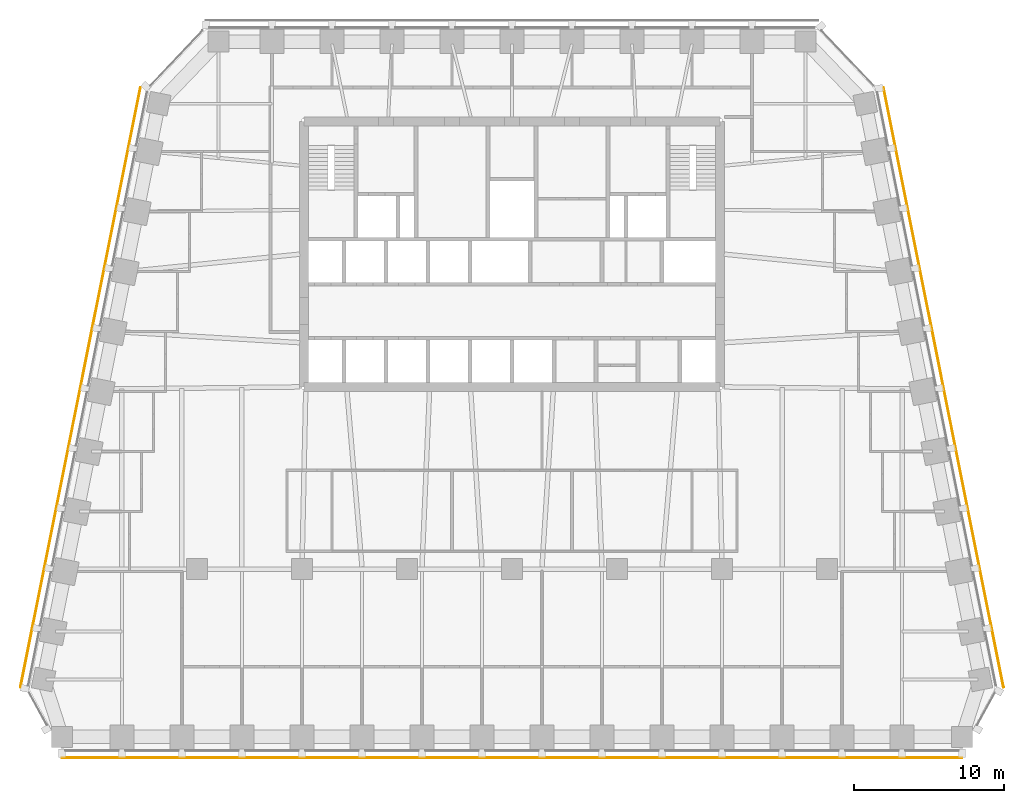
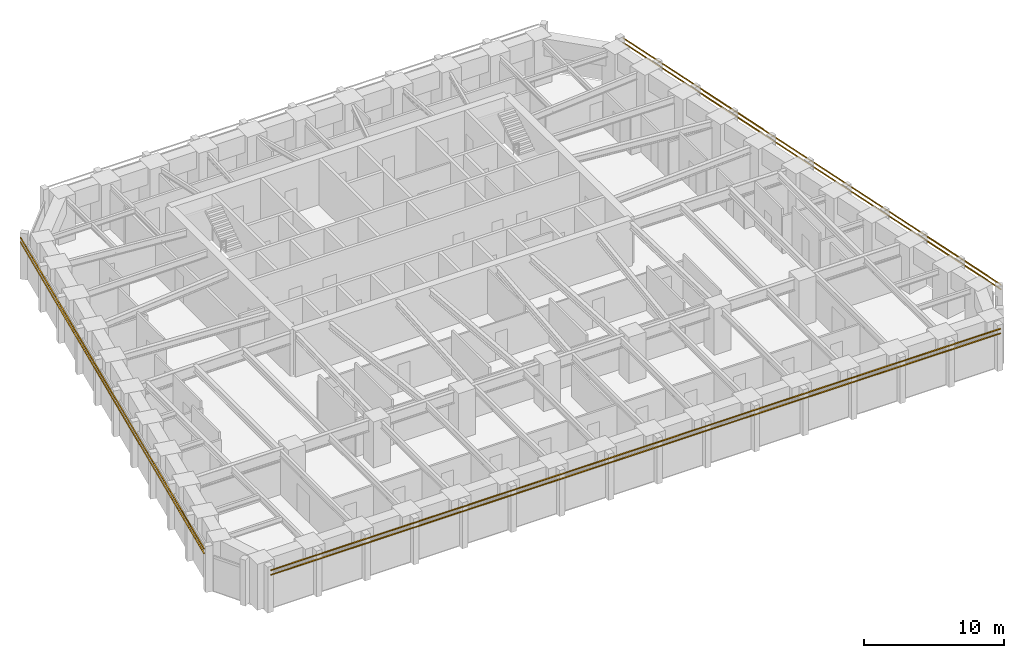
# One storey, part 10 of 11: 6 shading devices.
"""IFC4 building model written with IfcOpenShell, lengths in metres."""

from ifc_helpers import new_model, si_unit, direction, frame, origin, origin_2d, place, context, subcontext, project, spatial, rectangle, extrude, material, material_profile, profile_set, type_object, element, save


model = new_model("IFC4")

# Units and contexts
model_context = context("Model", 3, precision=1e-05, world=origin(), true_north=direction((0.0, 1.0)))
body_context = subcontext(model_context, "Body", "Model", "MODEL_VIEW")
ifc_project = project(units=[si_unit("LENGTHUNIT", "METRE"), si_unit("AREAUNIT", "SQUARE_METRE"), si_unit("VOLUMEUNIT", "CUBIC_METRE"), si_unit("PLANEANGLEUNIT", "RADIAN"), si_unit("MASSUNIT", "GRAM", prefix="KILO")], contexts=[model_context])

# Site, building, storey
site_placement = place(None, origin())
site = spatial("IfcSite", under=ifc_project, at=site_placement, CompositionType="ELEMENT")
building_placement = place(site_placement, origin())
building = spatial("IfcBuilding", under=site, at=building_placement, Name="Isbrekke Arena Tower", CompositionType="ELEMENT")
storey_placement = place(building_placement, frame((0.0, 0.0, 202.0)))
storey = spatial("IfcBuildingStorey", under=building, at=storey_placement, Name="L46", CompositionType="ELEMENT", Elevation=202.0)

# Shading devices
ifc_material = material(Name="Terracotta", Category="masonry")
ifc_material_profile = material_profile(ifc_material, rectangle(XDim=0.06005859375, YDim=0.06005859375, at=origin_2d()), Name="BAGUETTE 60X60")
ifc_profile_set = profile_set([ifc_material_profile], Name="Terracotta")
shading_device_type = type_object("IfcShadingDeviceType", Name="BG1 TERRACOTTA BAGUETTE 60 x 60", PredefinedType="USERDEFINED", material=ifc_profile_set)
for number, where, z_axis, x_axis, name in (
    (1, (-30.0, -18.580078125, 3.280029296875), (1.0, 0.0, 0.0), (0.0, 1.0, 0.0), "BG1 terracotta baguette S1 L46"),
    (2, (-30.0, -18.580078125, 3.679931640625), (1.0, 0.0, 0.0), (0.0, 1.0, 0.0), "BG1 terracotta baguette S2 L46"),
):
    element("IfcShadingDevice", number, at=place(storey_placement, frame(where, z_axis=z_axis, x_axis=x_axis)), inside=storey, type_object=shading_device_type, Name=name, ObjectType="TERRACOTTA BAGUETTE", PredefinedType="USERDEFINED", context=body_context, shape_type="SweptSolid", body=[
        extrude(rectangle(XDim=0.06005859375, YDim=0.06005859375, at=origin_2d()), origin(), (0.0, 0.0, 1.0), 60.0),
    ])
for number, where, z_axis, x_axis, name in (
    (3, (32.768798828125, -13.88623046875, 3.280029296875), (-0.196116135138, 0.980580675691, 0.0), (-0.980580675691, -0.196116135138, 0.0), "BG1 terracotta baguette E1 L46"),
    (4, (32.768798828125, -13.88623046875, 3.679931640625), (-0.196116135138, 0.980580675691, 0.0), (-0.980580675691, -0.196116135138, 0.0), "BG1 terracotta baguette E2 L46"),
    (5, (-24.768798828125, 26.11376953125, 3.280029296875), (-0.196116135138, -0.980580675691, 0.0), (0.980580675691, -0.196116135138, 0.0), "BG1 terracotta baguette W1 L46"),
    (6, (-24.768798828125, 26.11376953125, 3.679931640625), (-0.196116135138, -0.980580675691, 0.0), (0.980580675691, -0.196116135138, 0.0), "BG1 terracotta baguette W2 L46"),
):
    element("IfcShadingDevice", number, at=place(storey_placement, frame(where, z_axis=z_axis, x_axis=x_axis)), inside=storey, type_object=shading_device_type, Name=name, ObjectType="TERRACOTTA BAGUETTE", PredefinedType="USERDEFINED", context=body_context, shape_type="SweptSolid", body=[
        extrude(rectangle(XDim=0.06005859375, YDim=0.06005859375, at=origin_2d()), origin(), (0.0, 0.0, 1.0), 40.792236328125),
    ])

save(model, "model.ifc")
